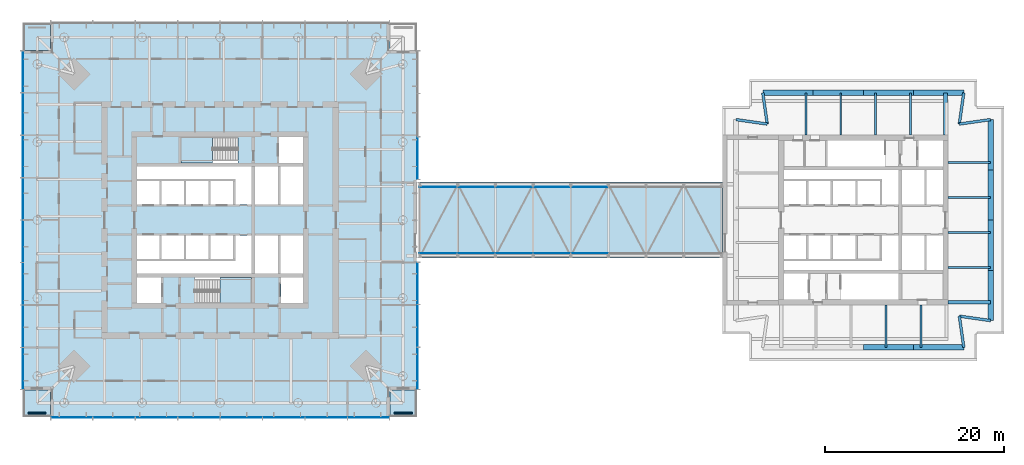
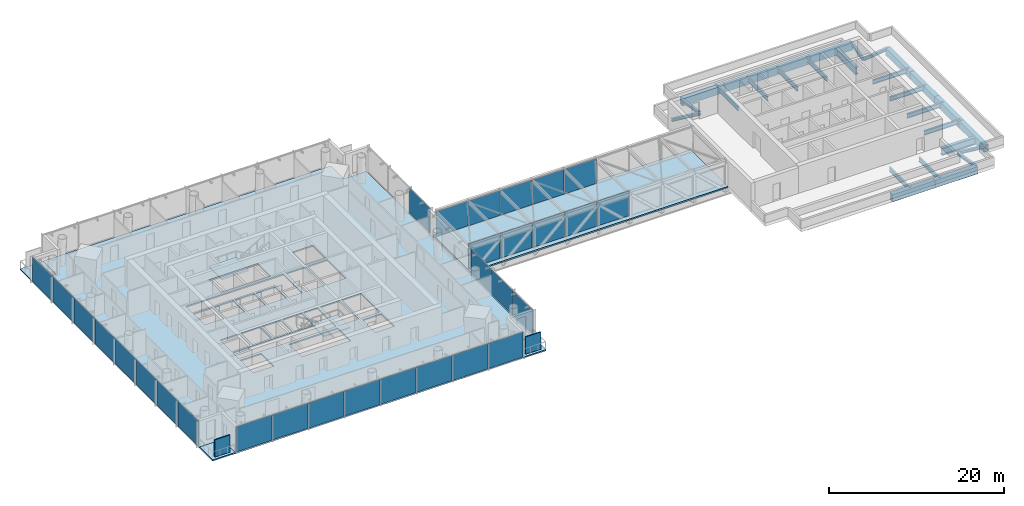
# One storey, part 10 of 19: 32 plates, 28 beams, 7 slabs, 8 elements without a shape of their own.
"""IFC4 building model written with IfcOpenShell, lengths in metres."""

from ifc_helpers import new_model, si_unit, direction, frame, origin, origin_2d, place, context, subcontext, project, spatial, polyline, rectangle, hollow_rectangle, i_section, outline, extrude, material, layer, layer_set, material_profile, profile_set, type_object, element, aggregate, save


model = new_model("IFC4")

# Units and contexts
model_context = context("Model", 3, precision=1e-05, world=origin(), true_north=direction((0.0, 1.0)))
body_context = subcontext(model_context, "Body", "Model", "MODEL_VIEW")
ifc_project = project(units=[si_unit("LENGTHUNIT", "METRE"), si_unit("AREAUNIT", "SQUARE_METRE"), si_unit("VOLUMEUNIT", "CUBIC_METRE"), si_unit("PLANEANGLEUNIT", "RADIAN"), si_unit("MASSUNIT", "GRAM", prefix="KILO")], contexts=[model_context])

# Site, building, storey
site_placement = place(None, origin())
site = spatial("IfcSite", under=ifc_project, at=site_placement, CompositionType="ELEMENT")
building_placement = place(site_placement, origin())
building = spatial("IfcBuilding", under=site, at=building_placement, Name="Ostroluk Exchange", CompositionType="ELEMENT")
storey_placement = place(building_placement, frame((0.0, 0.0, 131.199951171875)))
storey = spatial("IfcBuildingStorey", under=building, at=storey_placement, Name="L33", CompositionType="ELEMENT", Elevation=131.199951171875)

# Beams
ifc_material_1 = material(Name="Steel S355", Category="steel")
ifc_material_profile_1 = material_profile(ifc_material_1, i_section(OverallWidth=0.300048828125, OverallDepth=0.39990234375, WebThickness=0.013427734375, FlangeThickness=0.02392578125, FilletRadius=0.027099609375, at=origin_2d()), Name="HEB 400")
ifc_profile_set_1 = profile_set([ifc_material_profile_1], Name="Steel S355")
beam_type_1 = type_object("IfcBeamType", Name="Corner edge beam HEB 400", PredefinedType="SPANDREL", material=ifc_profile_set_1)
for number, where, z_axis, x_axis, name in (
    (1, (127.75, 56.75, -0.64990234375), (0.989949493661, 0.141421356237, 0.0), (-0.141421356237, 0.989949493661, 0.0), "T2 east corner edge beam a"),
    (2, (127.75, 56.75, -0.64990234375), (0.141421356237, 0.989949493661, 0.0), (-0.989949493661, 0.141421356237, 0.0), "T2 east corner edge beam b"),
    (3, (106.25, 56.75, -0.64990234375), (-0.141421356237, 0.989949493661, 0.0), (-0.989949493661, -0.141421356237, 0.0), "T2 north corner edge beam a"),
    (4, (106.25, 56.75, -0.64990234375), (-0.989949493661, 0.141421356237, 0.0), (-0.141421356237, -0.989949493661, 0.0), "T2 north corner edge beam b"),
    (5, (127.75, 35.25, -0.64990234375), (0.141421356237, -0.989949493661, 0.0), (0.989949493661, 0.141421356237, 0.0), "T2 south corner edge beam a"),
    (6, (127.75, 35.25, -0.64990234375), (0.989949493661, -0.141421356237, 0.0), (0.141421356237, 0.989949493661, 0.0), "T2 south corner edge beam b"),
):
    element("IfcBeam", number, at=place(storey_placement, frame(where, z_axis=z_axis, x_axis=x_axis)), inside=storey, type_object=beam_type_1, Name=name, PredefinedType="SPANDREL", context=body_context, shape_type="SweptSolid", body=[
        extrude(i_section(OverallWidth=0.300048828125, OverallDepth=0.39990234375, WebThickness=0.013427734375, FlangeThickness=0.02392578125, FilletRadius=0.027099609375, at=origin_2d()), origin(), (0.0, 0.0, 1.0), 3.53564453125),
    ])
ifc_material_2 = material(Name="Steel S355", Category="steel")
ifc_material_profile_2 = material_profile(ifc_material_2, i_section(OverallWidth=0.219970703125, OverallDepth=0.60009765625, WebThickness=0.011962890625, FlangeThickness=0.01904296875, FilletRadius=0.02392578125, at=origin_2d()), Name="IPE 600")
ifc_profile_set_2 = profile_set([ifc_material_profile_2], Name="Steel S355")
beam_type_2 = type_object("IfcBeamType", Name="Floor beam IPE 600", PredefinedType="BEAM", material=ifc_profile_set_2)
for number, where, z_axis, x_axis, name in (
    (7, (126.5, 40.708251953125, -0.75), (1.0, 0.0, 0.0), (0.0, 1.0, 0.0), "T2 east floor beam 1"),
    (8, (126.5, 44.61669921875, -0.75), (1.0, 0.0, 0.0), (0.0, 1.0, 0.0), "T2 east floor beam 2"),
    (9, (126.5, 48.52490234375, -0.75), (1.0, 0.0, 0.0), (0.0, 1.0, 0.0), "T2 east floor beam 3"),
    (10, (126.5, 52.433349609375, -0.75), (1.0, 0.0, 0.0), (0.0, 1.0, 0.0), "T2 east floor beam 4"),
    (11, (122.291748046875, 55.5, -0.75), (0.0, 1.0, 0.0), (-1.0, 0.0, 0.0), "T2 north floor beam 1"),
    (12, (118.38330078125, 55.5, -0.75), (0.0, 1.0, 0.0), (-1.0, 0.0, 0.0), "T2 north floor beam 2"),
    (13, (114.47509765625, 55.5, -0.75), (0.0, 1.0, 0.0), (-1.0, 0.0, 0.0), "T2 north floor beam 3"),
    (14, (110.566650390625, 55.5, -0.75), (0.0, 1.0, 0.0), (-1.0, 0.0, 0.0), "T2 north floor beam 4"),
    (15, (119.52490234375, 36.5, -0.75), (0.0, -1.0, 0.0), (1.0, 0.0, 0.0), "T2 south floor beam 3"),
    (16, (123.433349609375, 36.5, -0.75), (0.0, -1.0, 0.0), (1.0, 0.0, 0.0), "T2 south floor beam 4"),
):
    element("IfcBeam", number, at=place(storey_placement, frame(where, z_axis=z_axis, x_axis=x_axis)), inside=storey, type_object=beam_type_2, Name=name, PredefinedType="BEAM", context=body_context, shape_type="SweptSolid", body=[
        extrude(i_section(OverallWidth=0.219970703125, OverallDepth=0.60009765625, WebThickness=0.011962890625, FlangeThickness=0.01904296875, FilletRadius=0.02392578125, at=origin_2d()), origin(), (0.0, 0.0, 1.0), 4.75),
    ])
ifc_material_3 = material(Name="Steel S355", Category="steel")
ifc_material_profile_3 = material_profile(ifc_material_3, i_section(OverallWidth=0.402099609375, OverallDepth=1.011962890625, WebThickness=0.035888671875, FlangeThickness=0.055908203125, FilletRadius=0.030029296875, at=origin_2d()), Name="HL 1000x443")
ifc_profile_set_3 = profile_set([ifc_material_profile_3], Name="Steel S355")
beam_type_3 = type_object("IfcBeamType", Name="Girder HL 1000x443", PredefinedType="BEAM", material=ifc_profile_set_3)
for number, where, z_axis, x_axis, name in (
    (17, (126.199951171875, 55.5, -0.9560546875), (0.0, 1.0, 0.0), (-1.0, 0.0, 0.0), "T2 east girder"),
    (18, (126.5, 36.800048828125, -0.9560546875), (1.0, 0.0, 0.0), (0.0, 1.0, 0.0), "T2 south girder"),
):
    element("IfcBeam", number, at=place(storey_placement, frame(where, z_axis=z_axis, x_axis=x_axis)), inside=storey, type_object=beam_type_3, Name=name, PredefinedType="BEAM", context=body_context, shape_type="SweptSolid", body=[
        extrude(i_section(OverallWidth=0.402099609375, OverallDepth=1.011962890625, WebThickness=0.035888671875, FlangeThickness=0.055908203125, FilletRadius=0.030029296875, at=origin_2d()), origin(), (0.0, 0.0, 1.0), 4.75),
    ])
ifc_material_4 = material(Name="Steel S355", Category="steel")
ifc_material_profile_4 = material_profile(ifc_material_4, hollow_rectangle(XDim=0.60009765625, YDim=1.0, WallThickness=0.06005859375, at=origin_2d()), Name="BOX 600x1000x60")
ifc_profile_set_4 = profile_set([ifc_material_profile_4], Name="Steel S355")
beam_type_4 = type_object("IfcBeamType", Name="Moment-connected edge beam BOX 600x1000x60", PredefinedType="SPANDREL", material=ifc_profile_set_4)
for number, where, z_axis, x_axis, name in (
    (19, (131.25, 34.75, -0.949951171875), (0.0, 1.0, 0.0), (-1.0, 0.0, 0.0), "T2 east edge beam 1"),
    (20, (131.25, 40.375, -0.949951171875), (0.0, 1.0, 0.0), (-1.0, 0.0, 0.0), "T2 east edge beam 2"),
    (21, (131.25, 46.0, -0.949951171875), (0.0, 1.0, 0.0), (-1.0, 0.0, 0.0), "T2 east edge beam 3"),
    (22, (131.25, 51.625, -0.949951171875), (0.0, 1.0, 0.0), (-1.0, 0.0, 0.0), "T2 east edge beam 4"),
    (23, (128.25, 60.25, -0.949951171875), (-1.0, 0.0, 0.0), (0.0, -1.0, 0.0), "T2 north edge beam 1"),
    (24, (122.625, 60.25, -0.949951171875), (-1.0, 0.0, 0.0), (0.0, -1.0, 0.0), "T2 north edge beam 2"),
    (25, (117.0, 60.25, -0.949951171875), (-1.0, 0.0, 0.0), (0.0, -1.0, 0.0), "T2 north edge beam 3"),
    (26, (111.375, 60.25, -0.949951171875), (-1.0, 0.0, 0.0), (0.0, -1.0, 0.0), "T2 north edge beam 4"),
    (27, (117.0, 31.75, -0.949951171875), (1.0, 0.0, 0.0), (0.0, 1.0, 0.0), "T2 south edge beam 3"),
    (28, (122.625, 31.75, -0.949951171875), (1.0, 0.0, 0.0), (0.0, 1.0, 0.0), "T2 south edge beam 4"),
):
    element("IfcBeam", number, at=place(storey_placement, frame(where, z_axis=z_axis, x_axis=x_axis)), inside=storey, type_object=beam_type_4, Name=name, PredefinedType="SPANDREL", context=body_context, shape_type="SweptSolid", body=[
        extrude(hollow_rectangle(XDim=0.60009765625, YDim=1.0, WallThickness=0.06005859375, at=origin_2d()), origin(), (0.0, 0.0, 1.0), 5.625),
    ])

# Slabs
ifc_material_5 = material(Name="Concrete C35/45", Category="concrete")
ifc_layer_1 = layer(ifc_material_5, 0.179931640625)
ifc_layer_set_1 = layer_set([ifc_layer_1], Name="Balcony slab 180")
slab_type_1 = type_object("IfcSlabType", Name="Balcony slab 180", PredefinedType="USERDEFINED", material=ifc_layer_set_1)
slab_1_placement = place(storey_placement, frame((0.0, 0.0, -0.179931640625)))
element("IfcSlab", 29, at=slab_1_placement, inside=storey, type_object=slab_type_1, Name="Office tower SE corner balcony L33", ObjectType="BALCONY", PredefinedType="USERDEFINED", context=body_context, shape_type="SweptSolid", body=[
    extrude(outline(polyline([(64.0, 24.0), (67.0, 24.0), (67.0, 27.0), (64.0, 27.0), (64.0, 24.0)])), origin(), (0.0, 0.0, 1.0), 0.179931640625),
])
slab_2_placement = place(storey_placement, frame((0.0, 0.0, -0.179931640625)))
element("IfcSlab", 30, at=slab_2_placement, inside=storey, type_object=slab_type_1, Name="Office tower NW corner balcony L33", ObjectType="BALCONY", PredefinedType="USERDEFINED", context=body_context, shape_type="SweptSolid", body=[
    extrude(outline(polyline([(23.0, 65.0), (26.0, 65.0), (26.0, 68.0), (23.0, 68.0), (23.0, 65.0)])), origin(), (0.0, 0.0, 1.0), 0.179931640625),
])
slab_3_placement = place(storey_placement, frame((0.0, 0.0, -0.179931640625)))
element("IfcSlab", 31, at=slab_3_placement, inside=storey, type_object=slab_type_1, Name="Office tower SW corner balcony L33", ObjectType="BALCONY", PredefinedType="USERDEFINED", context=body_context, shape_type="SweptSolid", body=[
    extrude(outline(polyline([(23.0, 24.0), (26.0, 24.0), (26.0, 27.0), (23.0, 27.0), (23.0, 24.0)])), origin(), (0.0, 0.0, 1.0), 0.179931640625),
])
ifc_material_6 = material(Name="Concrete C35/45", Category="concrete")
ifc_layer_2 = layer(ifc_material_6, 0.199951171875)
ifc_layer_set_2 = layer_set([ifc_layer_2], Name="Bridge deck slab 200")
slab_type_2 = type_object("IfcSlabType", Name="Bridge deck slab 200", PredefinedType="FLOOR", material=ifc_layer_set_2)
slab_4_placement = place(storey_placement, frame((0.0, 0.0, -0.199951171875)))
element("IfcSlab", 32, at=slab_4_placement, inside=storey, type_object=slab_type_2, Name="Sky garden bridge deck", PredefinedType="FLOOR", context=body_context, shape_type="SweptSolid", body=[
    extrude(outline(polyline([(67.25, 41.75), (101.25, 41.75), (101.25, 50.25), (67.25, 50.25), (67.25, 41.75)])), origin(), (0.0, 0.0, 1.0), 0.199951171875),
])

# Curtain wall, plates
ifc_material_7 = material(Name="Laminated clear glass", Category="glass")
curtain_wall_type_1 = type_object("IfcCurtainWallType", Name="Bridge glazing", PredefinedType="USERDEFINED", material=ifc_material_7)
curtain_wall_1_placement = place(storey_placement, origin())
curtain_wall_1 = element("IfcCurtainWall", 33, at=curtain_wall_1_placement, inside=storey, type_object=curtain_wall_type_1, Name="Sky garden bridge south glazing", ObjectType="STICK CURTAIN WALL", PredefinedType="USERDEFINED")
ifc_material_8 = material(Name="Laminated clear glass", Category="glass")
ifc_layer_3 = layer(ifc_material_8, 0.028076171875)
ifc_layer_set_3 = layer_set([ifc_layer_3], Name="Laminated clear glass 28")
plate_type_1 = type_object("IfcPlateType", Name="Laminated clear glass 28", PredefinedType="CURTAIN_PANEL", material=ifc_layer_set_3)
plate_1_placement = place(storey_placement, frame((69.389892578125, 42.2900390625, 0.06005859375), z_axis=(0.0, 0.0, 1.0), x_axis=(1.0, 0.0, 0.0)))
plate_1 = element("IfcPlate", 34, at=plate_1_placement, type_object=plate_type_1, Name="CW-BR1 panel 1.1", PredefinedType="CURTAIN_PANEL", context=body_context, shape_type="SweptSolid", body=[
    extrude(rectangle(XDim=4.159912109375, YDim=0.028076171875, at=origin_2d()), origin(), (0.0, 0.0, 1.0), 3.47998046875),
])
plate_2_placement = place(storey_placement, frame((73.625, 42.2900390625, 0.06005859375), z_axis=(0.0, 0.0, 1.0), x_axis=(1.0, 0.0, 0.0)))
plate_2 = element("IfcPlate", 35, at=plate_2_placement, type_object=plate_type_1, Name="CW-BR1 panel 2.1", PredefinedType="CURTAIN_PANEL", context=body_context, shape_type="SweptSolid", body=[
    extrude(rectangle(XDim=4.18994140625, YDim=0.028076171875, at=origin_2d()), origin(), (0.0, 0.0, 1.0), 3.47998046875),
])
plate_3_placement = place(storey_placement, frame((77.875, 42.2900390625, 0.06005859375), z_axis=(0.0, 0.0, 1.0), x_axis=(1.0, 0.0, 0.0)))
plate_3 = element("IfcPlate", 36, at=plate_3_placement, type_object=plate_type_1, Name="CW-BR1 panel 3.1", PredefinedType="CURTAIN_PANEL", context=body_context, shape_type="SweptSolid", body=[
    extrude(rectangle(XDim=4.18994140625, YDim=0.028076171875, at=origin_2d()), origin(), (0.0, 0.0, 1.0), 3.47998046875),
])
plate_4_placement = place(storey_placement, frame((82.125, 42.2900390625, 0.06005859375), z_axis=(0.0, 0.0, 1.0), x_axis=(1.0, 0.0, 0.0)))
plate_4 = element("IfcPlate", 37, at=plate_4_placement, type_object=plate_type_1, Name="CW-BR1 panel 4.1", PredefinedType="CURTAIN_PANEL", context=body_context, shape_type="SweptSolid", body=[
    extrude(rectangle(XDim=4.18994140625, YDim=0.028076171875, at=origin_2d()), origin(), (0.0, 0.0, 1.0), 3.47998046875),
])
plate_5_placement = place(storey_placement, frame((86.375, 42.2900390625, 0.06005859375), z_axis=(0.0, 0.0, 1.0), x_axis=(1.0, 0.0, 0.0)))
plate_5 = element("IfcPlate", 38, at=plate_5_placement, type_object=plate_type_1, Name="CW-BR1 panel 5.1", PredefinedType="CURTAIN_PANEL", context=body_context, shape_type="SweptSolid", body=[
    extrude(rectangle(XDim=4.18994140625, YDim=0.028076171875, at=origin_2d()), origin(), (0.0, 0.0, 1.0), 3.47998046875),
])
aggregate(curtain_wall_1, [plate_1, plate_2, plate_3, plate_4, plate_5])

curtain_wall_2_placement = place(storey_placement, origin())
curtain_wall_2 = element("IfcCurtainWall", 39, at=curtain_wall_2_placement, inside=storey, type_object=curtain_wall_type_1, Name="Sky garden bridge north glazing", ObjectType="STICK CURTAIN WALL", PredefinedType="USERDEFINED")
plate_6_placement = place(storey_placement, frame((86.375, 49.7099609375, 0.06005859375), z_axis=(0.0, 0.0, 1.0), x_axis=(-1.0, 0.0, 0.0)))
plate_6 = element("IfcPlate", 40, at=plate_6_placement, type_object=plate_type_1, Name="CW-BR1 panel 4.1", PredefinedType="CURTAIN_PANEL", context=body_context, shape_type="SweptSolid", body=[
    extrude(rectangle(XDim=4.18994140625, YDim=0.028076171875, at=origin_2d()), origin(), (0.0, 0.0, 1.0), 3.47998046875),
])
plate_7_placement = place(storey_placement, frame((82.125, 49.7099609375, 0.06005859375), z_axis=(0.0, 0.0, 1.0), x_axis=(-1.0, 0.0, 0.0)))
plate_7 = element("IfcPlate", 41, at=plate_7_placement, type_object=plate_type_1, Name="CW-BR1 panel 5.1", PredefinedType="CURTAIN_PANEL", context=body_context, shape_type="SweptSolid", body=[
    extrude(rectangle(XDim=4.18994140625, YDim=0.028076171875, at=origin_2d()), origin(), (0.0, 0.0, 1.0), 3.47998046875),
])
plate_8_placement = place(storey_placement, frame((77.875, 49.7099609375, 0.06005859375), z_axis=(0.0, 0.0, 1.0), x_axis=(-1.0, 0.0, 0.0)))
plate_8 = element("IfcPlate", 42, at=plate_8_placement, type_object=plate_type_1, Name="CW-BR1 panel 6.1", PredefinedType="CURTAIN_PANEL", context=body_context, shape_type="SweptSolid", body=[
    extrude(rectangle(XDim=4.18994140625, YDim=0.028076171875, at=origin_2d()), origin(), (0.0, 0.0, 1.0), 3.47998046875),
])
plate_9_placement = place(storey_placement, frame((73.625, 49.7099609375, 0.06005859375), z_axis=(0.0, 0.0, 1.0), x_axis=(-1.0, 0.0, 0.0)))
plate_9 = element("IfcPlate", 43, at=plate_9_placement, type_object=plate_type_1, Name="CW-BR1 panel 7.1", PredefinedType="CURTAIN_PANEL", context=body_context, shape_type="SweptSolid", body=[
    extrude(rectangle(XDim=4.18994140625, YDim=0.028076171875, at=origin_2d()), origin(), (0.0, 0.0, 1.0), 3.47998046875),
])
plate_10_placement = place(storey_placement, frame((69.389892578125, 49.7099609375, 0.06005859375), z_axis=(0.0, 0.0, 1.0), x_axis=(-1.0, 0.0, 0.0)))
plate_10 = element("IfcPlate", 44, at=plate_10_placement, type_object=plate_type_1, Name="CW-BR1 panel 8.1", PredefinedType="CURTAIN_PANEL", context=body_context, shape_type="SweptSolid", body=[
    extrude(rectangle(XDim=4.159912109375, YDim=0.028076171875, at=origin_2d()), origin(), (0.0, 0.0, 1.0), 3.47998046875),
])
aggregate(curtain_wall_2, [plate_6, plate_7, plate_8, plate_9, plate_10])

# Plates
ifc_material_9 = material(Name="Steel S355 trellis with planting", Category="steel")
ifc_layer_4 = layer(ifc_material_9, 0.14990234375)
ifc_layer_set_4 = layer_set([ifc_layer_4], Name="Planted screen 150")
plate_type_2 = type_object("IfcPlateType", Name="Planted screen 150", PredefinedType="USERDEFINED", material=ifc_layer_set_4)
for number, where, z_axis, x_axis, name in (
    (45, (65.5, 24.425048828125, 0.0), (0.0, 0.0, 1.0), (1.0, 0.0, 0.0), "Office tower SE planted screen L33"),
    (46, (24.5, 24.425048828125, 0.0), (0.0, 0.0, 1.0), (1.0, 0.0, 0.0), "Office tower SW planted screen L33"),
):
    element("IfcPlate", number, at=place(storey_placement, frame(where, z_axis=z_axis, x_axis=x_axis)), inside=storey, type_object=plate_type_2, Name=name, ObjectType="PLANTED SCREEN", PredefinedType="USERDEFINED", context=body_context, shape_type="SweptSolid", body=[
        extrude(rectangle(XDim=2.0, YDim=0.14990234375, at=origin_2d()), origin(), (0.0, 0.0, 1.0), 2.39990234375),
    ])

# Stair, slab
ifc_material_10 = material(Name="Concrete C30/37", Category="concrete")
stair_type = type_object("IfcStairType", Name="Exit stair half turn 3800", PredefinedType="HALF_TURN_STAIR", material=ifc_material_10)
stair_1_placement = place(storey_placement, origin())
stair_1 = element("IfcStair", 47, at=stair_1_placement, inside=storey, type_object=stair_type, Name="Stair T1-S1 L33", PredefinedType="HALF_TURN_STAIR")
ifc_material_11 = material(Name="Concrete C30/37", Category="concrete")
ifc_layer_5 = layer(ifc_material_11, 0.199951171875)
ifc_layer_set_5 = layer_set([ifc_layer_5], Name="Stair landing 200")
slab_type_3 = type_object("IfcSlabType", Name="Stair landing 200", PredefinedType="LANDING", material=ifc_layer_set_5)
slab_5_placement = place(storey_placement, frame((0.0, 0.0, 1.699951171875)))
slab_5 = element("IfcSlab", 48, at=slab_5_placement, type_object=slab_type_3, Name="T1-S1 landing 1", PredefinedType="LANDING", context=body_context, shape_type="SweptSolid", body=[
    extrude(outline(polyline([(45.0, 36.699951171875), (45.0, 39.60009765625), (48.530029296875, 39.60009765625), (48.530029296875, 36.699951171875), (45.0, 36.699951171875)])), origin(), (0.0, 0.0, 1.0), 0.2001953125),
])
aggregate(stair_1, [slab_5])

stair_2_placement = place(storey_placement, origin())
stair_2 = element("IfcStair", 49, at=stair_2_placement, inside=storey, type_object=stair_type, Name="Stair T1-S2 L33", PredefinedType="HALF_TURN_STAIR")
slab_6_placement = place(storey_placement, frame((0.0, 0.0, 1.699951171875)))
slab_6 = element("IfcSlab", 50, at=slab_6_placement, type_object=slab_type_3, Name="T1-S2 landing 1", PredefinedType="LANDING", context=body_context, shape_type="SweptSolid", body=[
    extrude(outline(polyline([(44.1298828125, 52.39990234375), (44.1298828125, 55.300048828125), (40.60009765625, 55.300048828125), (40.60009765625, 52.39990234375), (44.1298828125, 52.39990234375)])), origin(), (0.0, 0.0, 1.0), 0.2001953125),
])
aggregate(stair_2, [slab_6])

# Slab
ifc_material_12 = material(Name="Concrete C35/45", Category="concrete")
ifc_layer_6 = layer(ifc_material_12, 0.179931640625)
ifc_layer_set_6 = layer_set([ifc_layer_6], Name="Tower floor slab 180 composite")
slab_type_4 = type_object("IfcSlabType", Name="Tower floor slab 180 composite", PredefinedType="FLOOR", material=ifc_layer_set_6)
slab_7_placement = place(storey_placement, frame((0.0, 0.0, -0.179931640625)))
element("IfcSlab", 51, at=slab_7_placement, inside=storey, type_object=slab_type_4, Name="Office tower floor slab L33", PredefinedType="FLOOR", context=body_context, shape_type="SweptSolid", body=[
    extrude(outline(polyline([(26.0, 24.0), (64.0, 24.0), (64.0, 27.0), (67.0, 27.0), (67.0, 65.0), (64.0, 65.0), (64.0, 68.0), (26.0, 68.0), (26.0, 65.0), (23.0, 65.0), (23.0, 27.0), (26.0, 27.0), (26.0, 24.0)]), holes=[polyline([(35.699951171875, 36.699951171875), (38.39990234375, 36.699951171875), (38.39990234375, 39.60009765625), (35.699951171875, 39.60009765625), (35.699951171875, 36.699951171875)]), polyline([(42.110107421875, 36.699951171875), (48.530029296875, 36.699951171875), (48.530029296875, 39.60009765625), (42.110107421875, 39.60009765625), (42.110107421875, 36.699951171875)]), polyline([(51.800048828125, 36.699951171875), (54.300048828125, 36.699951171875), (54.300048828125, 39.60009765625), (51.800048828125, 39.60009765625), (51.800048828125, 36.699951171875)]), polyline([(40.60009765625, 52.39990234375), (47.02001953125, 52.39990234375), (47.02001953125, 55.300048828125), (40.60009765625, 55.300048828125), (40.60009765625, 52.39990234375)]), polyline([(51.60009765625, 52.39990234375), (54.300048828125, 52.39990234375), (54.300048828125, 55.300048828125), (51.60009765625, 55.300048828125), (51.60009765625, 52.39990234375)]), polyline([(35.699951171875, 47.75), (38.199951171875, 47.75), (38.199951171875, 50.35009765625), (35.699951171875, 50.35009765625), (35.699951171875, 47.75)]), polyline([(38.449951171875, 47.75), (40.949951171875, 47.75), (40.949951171875, 50.35009765625), (38.449951171875, 50.35009765625), (38.449951171875, 47.75)]), polyline([(41.199951171875, 47.75), (43.699951171875, 47.75), (43.699951171875, 50.35009765625), (41.199951171875, 50.35009765625), (41.199951171875, 47.75)]), polyline([(43.949951171875, 47.75), (46.449951171875, 47.75), (46.449951171875, 50.35009765625), (43.949951171875, 50.35009765625), (43.949951171875, 47.75)]), polyline([(35.699951171875, 41.64990234375), (38.199951171875, 41.64990234375), (38.199951171875, 44.25), (35.699951171875, 44.25), (35.699951171875, 41.64990234375)]), polyline([(38.449951171875, 41.64990234375), (40.949951171875, 41.64990234375), (40.949951171875, 44.25), (38.449951171875, 44.25), (38.449951171875, 41.64990234375)]), polyline([(41.199951171875, 41.64990234375), (43.699951171875, 41.64990234375), (43.699951171875, 44.25), (41.199951171875, 44.25), (41.199951171875, 41.64990234375)]), polyline([(43.949951171875, 41.64990234375), (46.449951171875, 41.64990234375), (46.449951171875, 44.25), (43.949951171875, 44.25), (43.949951171875, 41.64990234375)]), polyline([(48.929931640625, 47.75), (51.489990234375, 47.75), (51.489990234375, 52.0), (48.929931640625, 52.0), (48.929931640625, 47.75)]), polyline([(51.739990234375, 47.75), (54.300048828125, 47.75), (54.300048828125, 52.0), (51.739990234375, 52.0), (51.739990234375, 47.75)]), polyline([(48.929931640625, 40.0), (51.489990234375, 40.0), (51.489990234375, 44.25), (48.929931640625, 44.25), (48.929931640625, 40.0)]), polyline([(51.739990234375, 40.0), (54.300048828125, 40.0), (54.300048828125, 44.25), (51.739990234375, 44.25), (51.739990234375, 40.0)]), polyline([(48.530029296875, 52.0), (48.530029296875, 47.75), (46.699951171875, 47.75), (46.699951171875, 50.60009765625), (35.699951171875, 50.60009765625), (35.699951171875, 52.0), (48.530029296875, 52.0)]), polyline([(35.699951171875, 40.0), (35.699951171875, 41.39990234375), (46.699951171875, 41.39990234375), (46.699951171875, 44.25), (48.530029296875, 44.25), (48.530029296875, 40.0), (35.699951171875, 40.0)])]), origin(), (0.0, 0.0, 1.0), 0.179931640625),
])

# Curtain wall, plates
ifc_material_13 = material(Name="Laminated clear glass", Category="glass")
curtain_wall_type_2 = type_object("IfcCurtainWallType", Name="Office tower facade", PredefinedType="USERDEFINED", material=ifc_material_13)
curtain_wall_3_placement = place(storey_placement, origin())
curtain_wall_3 = element("IfcCurtainWall", 52, at=curtain_wall_3_placement, inside=storey, type_object=curtain_wall_type_2, Name="Office tower south facade L33", ObjectType="UNITISED CURTAIN WALL", PredefinedType="USERDEFINED")
ifc_material_14 = material(Name="Laminated clear glass", Category="glass")
ifc_layer_7 = layer(ifc_material_14, 0.0439453125)
ifc_layer_set_7 = layer_set([ifc_layer_7], Name="Triple laminated clear glazing 44")
plate_type_3 = type_object("IfcPlateType", Name="Triple laminated clear glazing 44", PredefinedType="CURTAIN_PANEL", material=ifc_layer_set_7)
plate_11_placement = place(storey_placement, frame((28.39501953125, 23.925048828125, 0.080078125), z_axis=(0.0, 0.0, 1.0), x_axis=(1.0, 0.0, 0.0)))
plate_11 = element("IfcPlate", 53, at=plate_11_placement, type_object=plate_type_3, Name="CW-O1 panel 1.1", PredefinedType="CURTAIN_PANEL", context=body_context, shape_type="SweptSolid", body=[
    extrude(rectangle(XDim=4.6298828125, YDim=0.0439453125, at=origin_2d()), origin(), (0.0, 0.0, 1.0), 3.489990234375),
])
plate_12_placement = place(storey_placement, frame((33.125, 23.925048828125, 0.080078125), z_axis=(0.0, 0.0, 1.0), x_axis=(1.0, 0.0, 0.0)))
plate_12 = element("IfcPlate", 54, at=plate_12_placement, type_object=plate_type_3, Name="CW-O1 panel 2.1", PredefinedType="CURTAIN_PANEL", context=body_context, shape_type="SweptSolid", body=[
    extrude(rectangle(XDim=4.669921875, YDim=0.0439453125, at=origin_2d()), origin(), (0.0, 0.0, 1.0), 3.489990234375),
])
plate_13_placement = place(storey_placement, frame((37.875, 23.925048828125, 0.080078125), z_axis=(0.0, 0.0, 1.0), x_axis=(1.0, 0.0, 0.0)))
plate_13 = element("IfcPlate", 55, at=plate_13_placement, type_object=plate_type_3, Name="CW-O1 panel 3.1", PredefinedType="CURTAIN_PANEL", context=body_context, shape_type="SweptSolid", body=[
    extrude(rectangle(XDim=4.669921875, YDim=0.0439453125, at=origin_2d()), origin(), (0.0, 0.0, 1.0), 3.489990234375),
])
plate_14_placement = place(storey_placement, frame((42.625, 23.925048828125, 0.080078125), z_axis=(0.0, 0.0, 1.0), x_axis=(1.0, 0.0, 0.0)))
plate_14 = element("IfcPlate", 56, at=plate_14_placement, type_object=plate_type_3, Name="CW-O1 panel 4.1", PredefinedType="CURTAIN_PANEL", context=body_context, shape_type="SweptSolid", body=[
    extrude(rectangle(XDim=4.669921875, YDim=0.0439453125, at=origin_2d()), origin(), (0.0, 0.0, 1.0), 3.489990234375),
])
plate_15_placement = place(storey_placement, frame((47.375, 23.925048828125, 0.080078125), z_axis=(0.0, 0.0, 1.0), x_axis=(1.0, 0.0, 0.0)))
plate_15 = element("IfcPlate", 57, at=plate_15_placement, type_object=plate_type_3, Name="CW-O1 panel 5.1", PredefinedType="CURTAIN_PANEL", context=body_context, shape_type="SweptSolid", body=[
    extrude(rectangle(XDim=4.669921875, YDim=0.0439453125, at=origin_2d()), origin(), (0.0, 0.0, 1.0), 3.489990234375),
])
plate_16_placement = place(storey_placement, frame((52.125, 23.925048828125, 0.080078125), z_axis=(0.0, 0.0, 1.0), x_axis=(1.0, 0.0, 0.0)))
plate_16 = element("IfcPlate", 58, at=plate_16_placement, type_object=plate_type_3, Name="CW-O1 panel 6.1", PredefinedType="CURTAIN_PANEL", context=body_context, shape_type="SweptSolid", body=[
    extrude(rectangle(XDim=4.669921875, YDim=0.0439453125, at=origin_2d()), origin(), (0.0, 0.0, 1.0), 3.489990234375),
])
plate_17_placement = place(storey_placement, frame((56.875, 23.925048828125, 0.080078125), z_axis=(0.0, 0.0, 1.0), x_axis=(1.0, 0.0, 0.0)))
plate_17 = element("IfcPlate", 59, at=plate_17_placement, type_object=plate_type_3, Name="CW-O1 panel 7.1", PredefinedType="CURTAIN_PANEL", context=body_context, shape_type="SweptSolid", body=[
    extrude(rectangle(XDim=4.669921875, YDim=0.0439453125, at=origin_2d()), origin(), (0.0, 0.0, 1.0), 3.489990234375),
])
plate_18_placement = place(storey_placement, frame((61.60498046875, 23.925048828125, 0.080078125), z_axis=(0.0, 0.0, 1.0), x_axis=(1.0, 0.0, 0.0)))
plate_18 = element("IfcPlate", 60, at=plate_18_placement, type_object=plate_type_3, Name="CW-O1 panel 8.1", PredefinedType="CURTAIN_PANEL", context=body_context, shape_type="SweptSolid", body=[
    extrude(rectangle(XDim=4.6298828125, YDim=0.0439453125, at=origin_2d()), origin(), (0.0, 0.0, 1.0), 3.489990234375),
])
aggregate(curtain_wall_3, [plate_11, plate_12, plate_13, plate_14, plate_15, plate_16, plate_17, plate_18])

curtain_wall_4_placement = place(storey_placement, origin())
curtain_wall_4 = element("IfcCurtainWall", 61, at=curtain_wall_4_placement, inside=storey, type_object=curtain_wall_type_2, Name="Office tower east facade L33 part 1", ObjectType="UNITISED CURTAIN WALL", PredefinedType="USERDEFINED")
plate_19_placement = place(storey_placement, frame((67.074951171875, 29.407470703125, 0.080078125), z_axis=(0.0, 0.0, 1.0), x_axis=(0.0, 1.0, 0.0)))
plate_19 = element("IfcPlate", 62, at=plate_19_placement, type_object=plate_type_3, Name="CW-O1 panel 1.1", PredefinedType="CURTAIN_PANEL", context=body_context, shape_type="SweptSolid", body=[
    extrude(rectangle(XDim=4.655029296875, YDim=0.0439453125, at=origin_2d()), origin(), (0.0, 0.0, 1.0), 3.489990234375),
])
plate_20_placement = place(storey_placement, frame((67.074951171875, 34.16259765625, 0.080078125), z_axis=(0.0, 0.0, 1.0), x_axis=(0.0, 1.0, 0.0)))
plate_20 = element("IfcPlate", 63, at=plate_20_placement, type_object=plate_type_3, Name="CW-O1 panel 2.1", PredefinedType="CURTAIN_PANEL", context=body_context, shape_type="SweptSolid", body=[
    extrude(rectangle(XDim=4.695068359375, YDim=0.0439453125, at=origin_2d()), origin(), (0.0, 0.0, 1.0), 3.489990234375),
])
plate_21_placement = place(storey_placement, frame((67.074951171875, 38.91748046875, 0.080078125), z_axis=(0.0, 0.0, 1.0), x_axis=(0.0, 1.0, 0.0)))
plate_21 = element("IfcPlate", 64, at=plate_21_placement, type_object=plate_type_3, Name="CW-O1 panel 3.1", PredefinedType="CURTAIN_PANEL", context=body_context, shape_type="SweptSolid", body=[
    extrude(rectangle(XDim=4.655029296875, YDim=0.0439453125, at=origin_2d()), origin(), (0.0, 0.0, 1.0), 3.489990234375),
])
aggregate(curtain_wall_4, [plate_19, plate_20, plate_21])

# Curtain wall, plate
curtain_wall_5_placement = place(storey_placement, origin())
curtain_wall_5 = element("IfcCurtainWall", 65, at=curtain_wall_5_placement, inside=storey, type_object=curtain_wall_type_2, Name="Office tower east facade L33 part 2", ObjectType="UNITISED CURTAIN WALL", PredefinedType="USERDEFINED")
plate_22_placement = place(storey_placement, frame((67.074951171875, 52.936767578125, 0.080078125), z_axis=(0.0, 0.0, 1.0), x_axis=(0.0, 1.0, 0.0)))
plate_22 = element("IfcPlate", 66, at=plate_22_placement, type_object=plate_type_3, Name="CW-O1 panel 1.1", PredefinedType="CURTAIN_PANEL", context=body_context, shape_type="SweptSolid", body=[
    extrude(rectangle(XDim=4.71337890625, YDim=0.0439453125, at=origin_2d()), origin(), (0.0, 0.0, 1.0), 3.489990234375),
])
aggregate(curtain_wall_5, [plate_22])

# Curtain wall, plates
curtain_wall_6_placement = place(storey_placement, origin())
curtain_wall_6 = element("IfcCurtainWall", 67, at=curtain_wall_6_placement, inside=storey, type_object=curtain_wall_type_2, Name="Office tower west facade L33", ObjectType="UNITISED CURTAIN WALL", PredefinedType="USERDEFINED")
plate_23_placement = place(storey_placement, frame((22.925048828125, 62.60498046875, 0.080078125), z_axis=(0.0, 0.0, 1.0), x_axis=(0.0, -1.0, 0.0)))
plate_23 = element("IfcPlate", 68, at=plate_23_placement, type_object=plate_type_3, Name="CW-O1 panel 1.1", PredefinedType="CURTAIN_PANEL", context=body_context, shape_type="SweptSolid", body=[
    extrude(rectangle(XDim=4.6298828125, YDim=0.0439453125, at=origin_2d()), origin(), (0.0, 0.0, 1.0), 3.489990234375),
])
plate_24_placement = place(storey_placement, frame((22.925048828125, 57.875, 0.080078125), z_axis=(0.0, 0.0, 1.0), x_axis=(0.0, -1.0, 0.0)))
plate_24 = element("IfcPlate", 69, at=plate_24_placement, type_object=plate_type_3, Name="CW-O1 panel 2.1", PredefinedType="CURTAIN_PANEL", context=body_context, shape_type="SweptSolid", body=[
    extrude(rectangle(XDim=4.669921875, YDim=0.0439453125, at=origin_2d()), origin(), (0.0, 0.0, 1.0), 3.489990234375),
])
plate_25_placement = place(storey_placement, frame((22.925048828125, 53.125, 0.080078125), z_axis=(0.0, 0.0, 1.0), x_axis=(0.0, -1.0, 0.0)))
plate_25 = element("IfcPlate", 70, at=plate_25_placement, type_object=plate_type_3, Name="CW-O1 panel 3.1", PredefinedType="CURTAIN_PANEL", context=body_context, shape_type="SweptSolid", body=[
    extrude(rectangle(XDim=4.669921875, YDim=0.0439453125, at=origin_2d()), origin(), (0.0, 0.0, 1.0), 3.489990234375),
])
plate_26_placement = place(storey_placement, frame((22.925048828125, 48.375, 0.080078125), z_axis=(0.0, 0.0, 1.0), x_axis=(0.0, -1.0, 0.0)))
plate_26 = element("IfcPlate", 71, at=plate_26_placement, type_object=plate_type_3, Name="CW-O1 panel 4.1", PredefinedType="CURTAIN_PANEL", context=body_context, shape_type="SweptSolid", body=[
    extrude(rectangle(XDim=4.669921875, YDim=0.0439453125, at=origin_2d()), origin(), (0.0, 0.0, 1.0), 3.489990234375),
])
plate_27_placement = place(storey_placement, frame((22.925048828125, 43.625, 0.080078125), z_axis=(0.0, 0.0, 1.0), x_axis=(0.0, -1.0, 0.0)))
plate_27 = element("IfcPlate", 72, at=plate_27_placement, type_object=plate_type_3, Name="CW-O1 panel 5.1", PredefinedType="CURTAIN_PANEL", context=body_context, shape_type="SweptSolid", body=[
    extrude(rectangle(XDim=4.669921875, YDim=0.0439453125, at=origin_2d()), origin(), (0.0, 0.0, 1.0), 3.489990234375),
])
plate_28_placement = place(storey_placement, frame((22.925048828125, 38.875, 0.080078125), z_axis=(0.0, 0.0, 1.0), x_axis=(0.0, -1.0, 0.0)))
plate_28 = element("IfcPlate", 73, at=plate_28_placement, type_object=plate_type_3, Name="CW-O1 panel 6.1", PredefinedType="CURTAIN_PANEL", context=body_context, shape_type="SweptSolid", body=[
    extrude(rectangle(XDim=4.669921875, YDim=0.0439453125, at=origin_2d()), origin(), (0.0, 0.0, 1.0), 3.489990234375),
])
plate_29_placement = place(storey_placement, frame((22.925048828125, 34.125, 0.080078125), z_axis=(0.0, 0.0, 1.0), x_axis=(0.0, -1.0, 0.0)))
plate_29 = element("IfcPlate", 74, at=plate_29_placement, type_object=plate_type_3, Name="CW-O1 panel 7.1", PredefinedType="CURTAIN_PANEL", context=body_context, shape_type="SweptSolid", body=[
    extrude(rectangle(XDim=4.669921875, YDim=0.0439453125, at=origin_2d()), origin(), (0.0, 0.0, 1.0), 3.489990234375),
])
plate_30_placement = place(storey_placement, frame((22.925048828125, 29.39501953125, 0.080078125), z_axis=(0.0, 0.0, 1.0), x_axis=(0.0, -1.0, 0.0)))
plate_30 = element("IfcPlate", 75, at=plate_30_placement, type_object=plate_type_3, Name="CW-O1 panel 8.1", PredefinedType="CURTAIN_PANEL", context=body_context, shape_type="SweptSolid", body=[
    extrude(rectangle(XDim=4.6298828125, YDim=0.0439453125, at=origin_2d()), origin(), (0.0, 0.0, 1.0), 3.489990234375),
])
aggregate(curtain_wall_6, [plate_23, plate_24, plate_25, plate_26, plate_27, plate_28, plate_29, plate_30])

save(model, "model.ifc")
